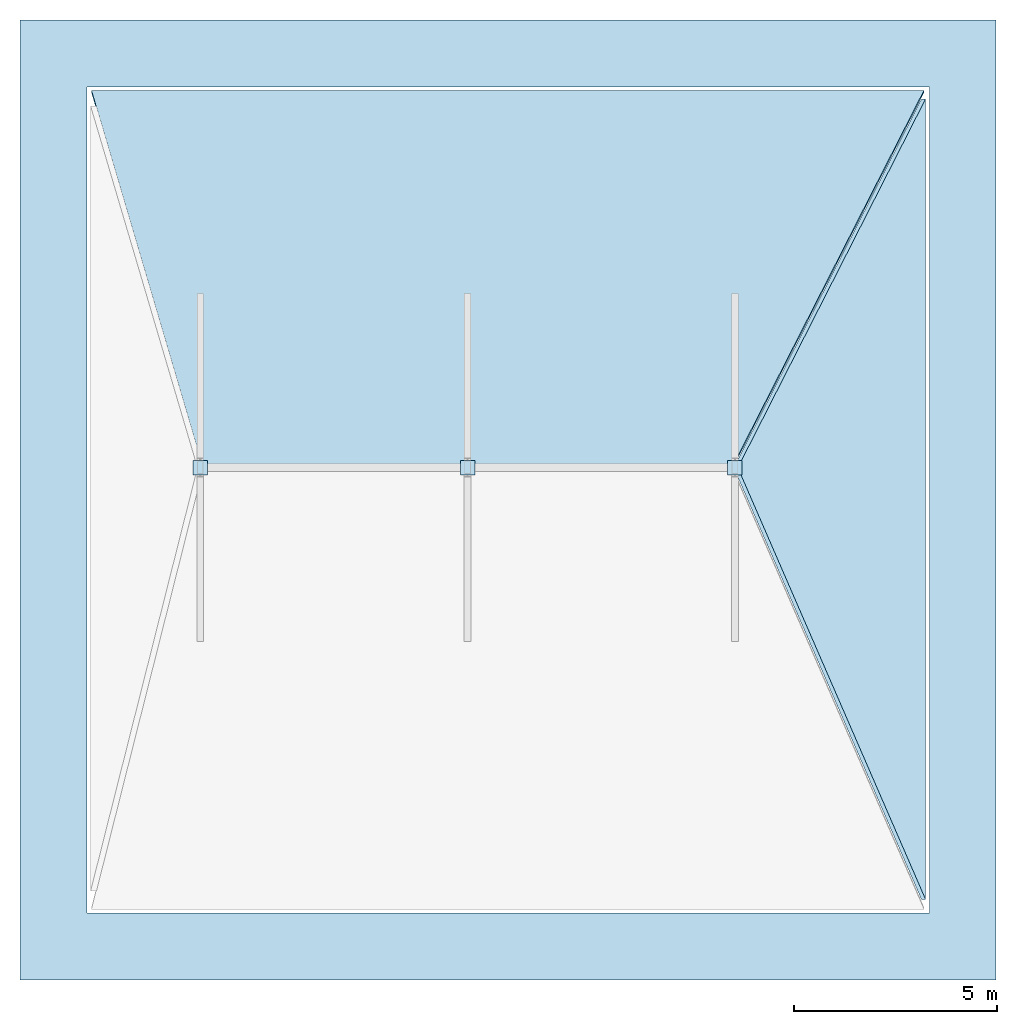
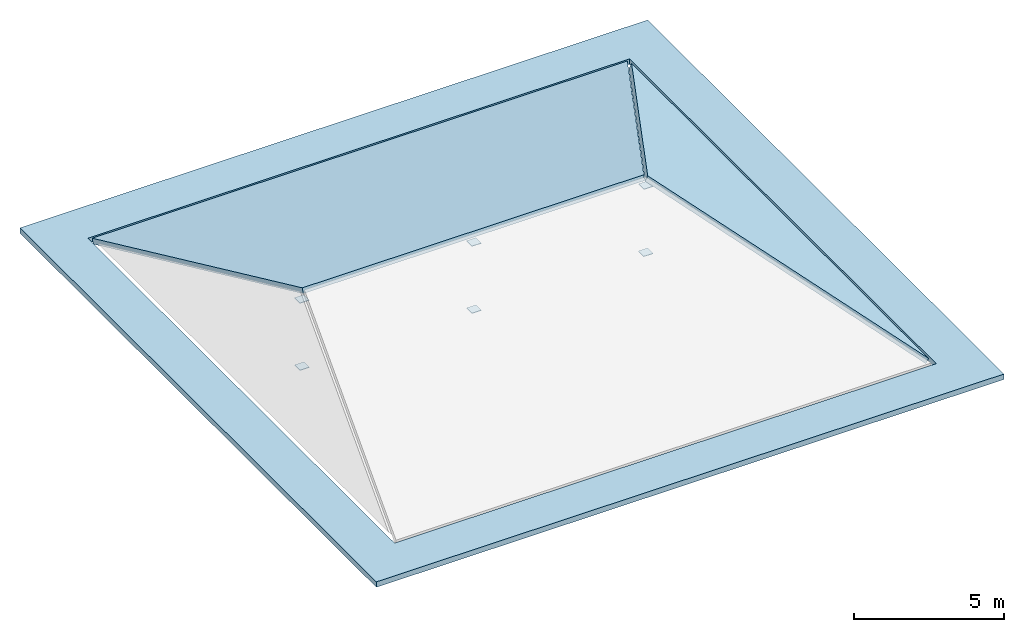
# One storey, part 2 of 2: 6 plates, 3 slabs.
"""IFC4 building model written with IfcOpenShell, lengths in metres."""

from ifc_helpers import new_model, si_unit, direction, frame, origin, origin_2d, place, context, subcontext, project, spatial, polyline, rectangle, outline, extrude, material, layer, layer_set, type_object, element, save


model = new_model("IFC4")

# Units and contexts
model_context = context("Model", 3, precision=1e-05, world=origin(), true_north=direction((0.0, 1.0)))
body_context = subcontext(model_context, "Body", "Model", "MODEL_VIEW")
ifc_project = project(units=[si_unit("LENGTHUNIT", "METRE"), si_unit("AREAUNIT", "SQUARE_METRE"), si_unit("VOLUMEUNIT", "CUBIC_METRE"), si_unit("PLANEANGLEUNIT", "RADIAN"), si_unit("MASSUNIT", "GRAM", prefix="KILO")], contexts=[model_context])

# Site, building, storey
site_placement = place(None, origin())
site = spatial("IfcSite", under=ifc_project, at=site_placement, CompositionType="ELEMENT")
building_placement = place(site_placement, origin())
building = spatial("IfcBuilding", under=site, at=building_placement, Name="Kolvaren Faculty of Natural Sciences", CompositionType="ELEMENT")
storey_placement = place(building_placement, frame((0.0, 0.0, 48.0)))
storey = spatial("IfcBuildingStorey", under=building, at=storey_placement, Name="RF", CompositionType="ELEMENT", Elevation=48.0)

# Plates
ifc_material_1 = material(Name="Structural steel EN 10025-2 S355J2 (white architectural finish)", Category="steel")
ifc_layer_1 = layer(ifc_material_1, 0.02001953125)
ifc_layer_set_1 = layer_set([ifc_layer_1], Name="Structural steel EN 10025-2 S355J2 (white architectural finish)")
plate_type = type_object("IfcPlateType", Name="BranchTipCollarPlate_TN3", PredefinedType="USERDEFINED", material=ifc_layer_set_1)
for number, where, z_axis, x_axis, name in (
    (1, (152.0, 71.60009765625, -0.485107421875), (0.0, 0.0, 1.0), (1.0, 0.0, 0.0), "Lantern king-post 152 base gusset plate TN3"),
    (2, (152.0, 71.60009765625, 2.239990234375), (0.0, 0.0, 1.0), (1.0, 0.0, 0.0), "Lantern king-post 152 ridge gusset plate TN3"),
    (3, (158.60009765625, 71.60009765625, -0.485107421875), (0.0, 0.0, 1.0), (1.0, 0.0, 0.0), "Lantern king-post 158 base gusset plate TN3"),
    (4, (158.60009765625, 71.60009765625, 2.239990234375), (0.0, 0.0, 1.0), (1.0, 0.0, 0.0), "Lantern king-post 158 ridge gusset plate TN3"),
    (5, (165.199951171875, 71.60009765625, -0.485107421875), (0.0, 0.0, 1.0), (1.0, 0.0, 0.0), "Lantern king-post 165 base gusset plate TN3"),
    (6, (165.199951171875, 71.60009765625, 2.239990234375), (0.0, 0.0, 1.0), (1.0, 0.0, 0.0), "Lantern king-post 165 ridge gusset plate TN3"),
):
    element("IfcPlate", number, at=place(storey_placement, frame(where, z_axis=z_axis, x_axis=x_axis)), inside=storey, type_object=plate_type, Name=name, ObjectType="GUSSET PLATE", PredefinedType="USERDEFINED", context=body_context, shape_type="SweptSolid", body=[
        extrude(rectangle(XDim=0.360107421875, YDim=0.360107421875, at=origin_2d()), origin(), (0.0, 0.0, 1.0), 0.02001953125),
    ])

# Slabs
ifc_material_2 = material(Name="Concrete C35/45", Category="concrete")
ifc_layer_2 = layer(ifc_material_2, 0.219970703125)
ifc_layer_set_2 = layer_set([ifc_layer_2], Name="Concrete C35/45")
slab_type_1 = type_object("IfcSlabType", Name="FlatWingRoofSlab_220", PredefinedType="ROOF", material=ifc_layer_set_2)
slab_1_placement = place(storey_placement, frame((0.0, 0.0, -0.219970703125)))
element("IfcSlab", 7, at=slab_1_placement, inside=storey, type_object=slab_type_1, Name="Research Tower Mughal lantern pavilion projecting chhajja eave deck", PredefinedType="ROOF", context=body_context, shape_type="SweptSolid", body=[
    extrude(outline(polyline([(147.550048828125, 58.949951171875), (171.64990234375, 58.949951171875), (171.64990234375, 82.64990234375), (147.550048828125, 82.64990234375), (147.550048828125, 58.949951171875)]), holes=[polyline([(149.199951171875, 60.60009765625), (170.0, 60.60009765625), (170.0, 81.0), (149.199951171875, 81.0), (149.199951171875, 60.60009765625)])]), origin(), (0.0, 0.0, 1.0), 0.219970703125),
])
ifc_material_3 = material(Name="Concrete C40/50", Category="concrete")
ifc_layer_3 = layer(ifc_material_3, 0.2099609375)
ifc_layer_set_3 = layer_set([ifc_layer_3], Name="Concrete C40/50")
slab_type_2 = type_object("IfcSlabType", Name="LanternSlopedRoof_210", PredefinedType="ROOF", material=ifc_layer_set_3)
slab_2_placement = place(storey_placement, frame((169.864013671875, 80.905029296875, 0.0185546875), z_axis=(0.0, 0.273888667772, 0.96176140371), x_axis=(-0.439732529644, -0.86378559451, 0.245987294571)))
element("IfcSlab", 8, at=slab_2_placement, inside=storey, type_object=slab_type_2, Name="Research Tower Mughal lantern pavilion hipped roof slope N", PredefinedType="ROOF", context=body_context, shape_type="SweptSolid", body=[
    extrude(outline(polyline([(0.0, 0.0), (10.697087672106193, 2.7755575615628914e-16), (16.4626725120748, -11.775880380244647), (9.035236676596186, -18.453959010925796), (0.0, 0.0)])), origin(), (0.0, 0.0, -1.0), 0.2099609375),
])
slab_3_placement = place(storey_placement, frame((169.905029296875, 60.9423828125, 0.0361328125), z_axis=(0.485631198373, 0.0, 0.874163794244), x_axis=(-0.389321561774, 0.895349328887, 0.21628291842)))
element("IfcSlab", 9, at=slab_3_placement, inside=storey, type_object=slab_type_2, Name="Research Tower Mughal lantern pavilion hipped roof slope E", PredefinedType="ROOF", context=body_context, shape_type="SweptSolid", body=[
    extrude(outline(polyline([(0.0, 0.0), (11.90096114929252, 6.661338147750939e-16), (17.689051206419276, -8.798885545625955), (0.0, 0.0)])), origin(), (0.0, 0.0, -1.0), 0.2099609375),
])

save(model, "model.ifc")
